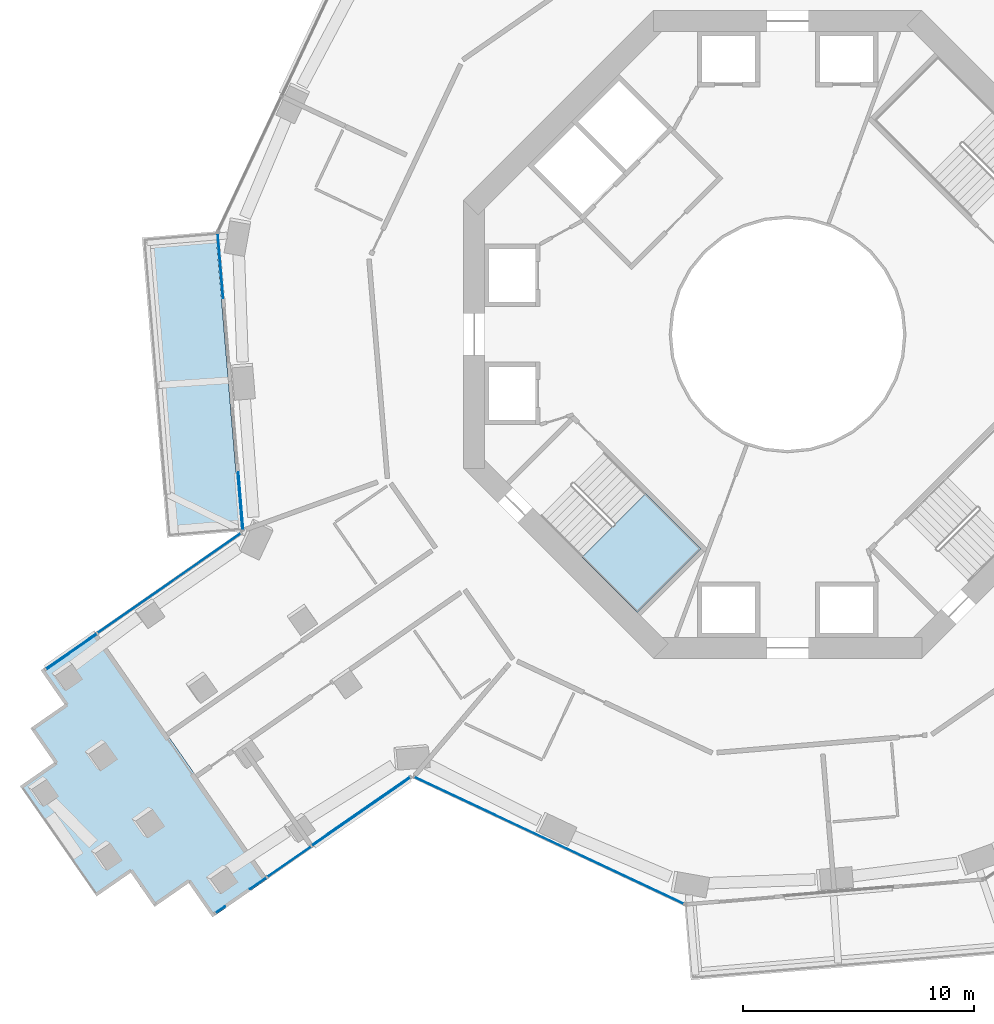
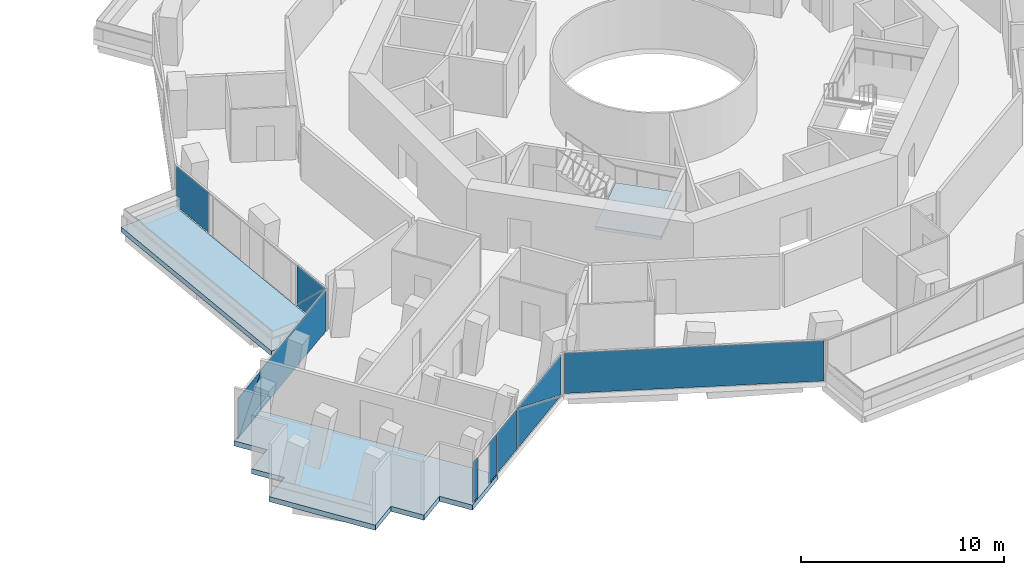
# One storey, part 13 of 26: 12 plates, 3 slabs, 5 elements without a shape of their own.
"""IFC4 building model written with IfcOpenShell, lengths in metres."""

from ifc_helpers import new_model, si_unit, direction, frame, origin, origin_2d, place, context, subcontext, project, spatial, polyline, rectangle, outline, extrude, material, layer, layer_set, type_object, element, aggregate, save


model = new_model("IFC4")

# Units and contexts
model_context = context("Model", 3, precision=1e-05, world=origin(), true_north=direction((0.0, 1.0)))
body_context = subcontext(model_context, "Body", "Model", "MODEL_VIEW")
ifc_project = project(units=[si_unit("LENGTHUNIT", "METRE"), si_unit("AREAUNIT", "SQUARE_METRE"), si_unit("VOLUMEUNIT", "CUBIC_METRE"), si_unit("PLANEANGLEUNIT", "RADIAN"), si_unit("MASSUNIT", "GRAM", prefix="KILO")], contexts=[model_context])

# Site, building, storey
site_placement = place(None, origin())
site = spatial("IfcSite", under=ifc_project, at=site_placement, CompositionType="ELEMENT")
building_placement = place(site_placement, origin())
building = spatial("IfcBuilding", under=site, at=building_placement, Name="Verdalira Terraces Hotel", CompositionType="ELEMENT")
storey_placement = place(building_placement, frame((0.0, 0.0, 53.0)))
storey = spatial("IfcBuildingStorey", under=building, at=storey_placement, Name="L11", CompositionType="ELEMENT", Elevation=53.0)

# Slab
ifc_material_1 = material(Name="Precast concrete C40/50", Category="concrete")
ifc_layer_1 = layer(ifc_material_1, 0.31005859375)
ifc_layer_set_1 = layer_set([ifc_layer_1], Name="Balcony deck 310")
slab_type_1 = type_object("IfcSlabType", Name="Balcony deck 310", PredefinedType="FLOOR", material=ifc_layer_set_1)
slab_1_placement = place(storey_placement, frame((0.0, 0.0, -0.310059)))
element("IfcSlab", 1, at=slab_1_placement, inside=storey, type_object=slab_type_1, Name="Balcony deck", PredefinedType="FLOOR", context=body_context, shape_type="SweptSolid", body=[
    extrude(outline(polyline([(-26.818115, -8.774902), (-23.629395, -8.50708), (-24.717041, 4.447266), (-27.906006, 4.179443), (-26.818115, -8.774902)])), origin(), (0.0, 0.0, 1.0), 0.310059),
])

# Curtain wall, plates
ifc_material_2 = material(Name="Clear glass", Category="glass")
ifc_layer_2 = layer(ifc_material_2, 0.14990234375)
ifc_layer_set_2 = layer_set([ifc_layer_2], Name="CW1 curtain wall")
curtain_wall_type_1 = type_object("IfcCurtainWallType", Name="CW1 curtain wall", PredefinedType="NOTDEFINED", material=ifc_layer_set_2)
curtain_wall_1_placement = place(storey_placement, origin())
curtain_wall_1 = element("IfcCurtainWall", 2, at=curtain_wall_1_placement, inside=storey, type_object=curtain_wall_type_1, Name="CW1 curtain wall L11 edge 13", PredefinedType="NOTDEFINED")
ifc_material_3 = material(Name="Clear glass", Category="glass")
ifc_layer_3 = layer(ifc_material_3, 0.028076171875)
ifc_layer_set_3 = layer_set([ifc_layer_3], Name="CW1 glass unit 28")
plate_type_1 = type_object("IfcPlateType", Name="CW1 glass unit 28", PredefinedType="CURTAIN_PANEL", material=ifc_layer_set_3)
plate_1_placement = place(storey_placement, frame((-24.516846, 2.95874, 0.0), z_axis=(0.0, 0.0, 1.0), x_axis=(0.083677843, -0.996492859, 0.0)))
plate_1 = element("IfcPlate", 3, at=plate_1_placement, type_object=plate_type_1, Name="CW1 glass unit", PredefinedType="CURTAIN_PANEL", context=body_context, shape_type="SweptSolid", body=[
    extrude(rectangle(XDim=2.799805, YDim=0.028076, at=origin_2d()), origin(), (0.0, 0.0, 1.0), 2.425049),
])
plate_2_placement = place(storey_placement, frame((-23.649414, -7.204346, 1.212402), z_axis=(-0.996492859, -0.083677843, 0.0), x_axis=(0.083677843, -0.996492859, 0.0)))
plate_2 = element("IfcPlate", 4, at=plate_2_placement, type_object=plate_type_1, Name="CW1 glass unit", PredefinedType="CURTAIN_PANEL", context=body_context, shape_type="SweptSolid", body=[
    extrude(outline(polyline([(-1.239746, -1.212402), (1.239746, -1.212402), (1.239746, 1.212402), (-1.239746, -1.212402)])), origin(), (0.0, 0.0, 1.0), 0.028076),
])
plate_3_placement = place(storey_placement, frame((-23.620361, -7.201904, 1.212402), z_axis=(-0.996492859, -0.083677843, 0.0), x_axis=(0.083677843, -0.996492859, 0.0)))
plate_3 = element("IfcPlate", 5, at=plate_3_placement, type_object=plate_type_1, Name="CW1 glass unit", PredefinedType="CURTAIN_PANEL", context=body_context, shape_type="SweptSolid", body=[
    extrude(outline(polyline([(-1.239746, -1.212402), (1.239746, 1.212402), (-1.239746, 1.212402), (-1.239746, -1.212402)])), origin(), (0.0, 0.0, 1.0), 0.028076),
])
aggregate(curtain_wall_1, [plate_1, plate_2, plate_3])

# Curtain wall, plate
curtain_wall_2_placement = place(storey_placement, origin())
curtain_wall_2 = element("IfcCurtainWall", 6, at=curtain_wall_2_placement, inside=storey, type_object=curtain_wall_type_1, Name="CW1 curtain wall L11 edge 25", PredefinedType="NOTDEFINED")
plate_4_placement = place(storey_placement, frame((-10.314941, -21.873291, 0.0), z_axis=(0.0, 0.0, 1.0), x_axis=(0.904827052, -0.425779292, 0.0)))
plate_4 = element("IfcPlate", 7, at=plate_4_placement, type_object=plate_type_1, Name="CW1 glass unit", PredefinedType="CURTAIN_PANEL", context=body_context, shape_type="SweptSolid", body=[
    extrude(rectangle(XDim=12.839844, YDim=0.028076, at=origin_2d()), origin(), (0.0, 0.0, 1.0), 2.425049),
])
aggregate(curtain_wall_2, [plate_4])

# Curtain wall, plates
ifc_material_4 = material(Name="Clear glass", Category="glass")
ifc_layer_4 = layer(ifc_material_4, 0.14990234375)
ifc_layer_set_4 = layer_set([ifc_layer_4], Name="CW2 curtain wall")
curtain_wall_type_2 = type_object("IfcCurtainWallType", Name="CW2 curtain wall", PredefinedType="NOTDEFINED", material=ifc_layer_set_4)
curtain_wall_3_placement = place(storey_placement, origin())
curtain_wall_3 = element("IfcCurtainWall", 8, at=curtain_wall_3_placement, inside=storey, type_object=curtain_wall_type_2, Name="CW2 curtain wall L11 edge 14", PredefinedType="NOTDEFINED")
ifc_material_5 = material(Name="Clear glass", Category="glass")
ifc_layer_5 = layer(ifc_material_5, 0.031982421875)
ifc_layer_set_5 = layer_set([ifc_layer_5], Name="CW2 glass unit 32")
plate_type_2 = type_object("IfcPlateType", Name="CW2 glass unit 32", PredefinedType="CURTAIN_PANEL", material=ifc_layer_set_5)
plate_5_placement = place(storey_placement, frame((-26.726562, -10.750977, 0.0), z_axis=(0.0, 0.0, 1.0), x_axis=(-0.821149209, -0.570713568, 0.0)))
plate_5 = element("IfcPlate", 9, at=plate_5_placement, type_object=plate_type_2, Name="CW2 glass unit", PredefinedType="CURTAIN_PANEL", context=body_context, shape_type="SweptSolid", body=[
    extrude(rectangle(XDim=7.507568, YDim=0.031982, at=origin_2d()), origin(), (0.0, 0.0, 1.0), 2.425049),
])
plate_6_placement = place(storey_placement, frame((-30.95166, -13.707031, 1.212402), z_axis=(-0.570713568, 0.821149209, 0.0), x_axis=(-0.821149209, -0.570713568, 0.0)))
plate_6 = element("IfcPlate", 10, at=plate_6_placement, type_object=plate_type_2, Name="CW2 glass unit", PredefinedType="CURTAIN_PANEL", context=body_context, shape_type="SweptSolid", body=[
    extrude(outline(polyline([(-1.33252, -1.212402), (1.33252, -1.212402), (-1.33252, 1.212402), (-1.33252, -1.212402)])), origin(), (0.0, 0.0, 1.0), 0.031982),
])
plate_7_placement = place(storey_placement, frame((-30.932861, -13.734131, 1.212402), z_axis=(-0.570713568, 0.821149209, 0.0), x_axis=(-0.821149209, -0.570713568, 0.0)))
plate_7 = element("IfcPlate", 11, at=plate_7_placement, type_object=plate_type_2, Name="CW2 glass unit", PredefinedType="CURTAIN_PANEL", context=body_context, shape_type="SweptSolid", body=[
    extrude(outline(polyline([(1.33252, -1.212402), (1.33252, 1.212402), (-1.33252, 1.212402), (1.33252, -1.212402)])), origin(), (0.0, 0.0, 1.0), 0.031982),
])
aggregate(curtain_wall_3, [plate_5, plate_6, plate_7])

curtain_wall_4_placement = place(storey_placement, origin())
curtain_wall_4 = element("IfcCurtainWall", 12, at=curtain_wall_4_placement, inside=storey, type_object=curtain_wall_type_2, Name="CW2 curtain wall L11 edge 24", PredefinedType="NOTDEFINED")
plate_8_placement = place(storey_placement, frame((-24.523926, -24.869141, 0.0), z_axis=(0.0, 0.0, 1.0), x_axis=(0.821149209, 0.570713568, 0.0)))
plate_8 = element("IfcPlate", 13, at=plate_8_placement, type_object=plate_type_2, Name="CW2 glass unit", PredefinedType="CURTAIN_PANEL", context=body_context, shape_type="SweptSolid", body=[
    extrude(rectangle(XDim=0.47998, YDim=0.031982, at=origin_2d()), origin(), (0.0, 0.0, 1.0), 2.425049),
])
plate_9_placement = place(storey_placement, frame((-22.88623, -23.730713, 0.0), z_axis=(0.0, 0.0, 1.0), x_axis=(0.821149209, 0.570713568, 0.0)))
plate_9 = element("IfcPlate", 14, at=plate_9_placement, type_object=plate_type_2, Name="CW2 glass unit", PredefinedType="CURTAIN_PANEL", context=body_context, shape_type="SweptSolid", body=[
    extrude(rectangle(XDim=0.861084, YDim=0.031982, at=origin_2d()), origin(), (0.0, 0.0, 1.0), 2.425049),
])
plate_10_placement = place(storey_placement, frame((-21.540771, -22.795654, 0.0), z_axis=(0.0, 0.0, 1.0), x_axis=(0.821149209, 0.570713568, 0.0)))
plate_10 = element("IfcPlate", 15, at=plate_10_placement, type_object=plate_type_2, Name="CW2 glass unit", PredefinedType="CURTAIN_PANEL", context=body_context, shape_type="SweptSolid", body=[
    extrude(rectangle(XDim=2.276367, YDim=0.031982, at=origin_2d()), origin(), (0.0, 0.0, 1.0), 2.425049),
])
plate_11_placement = place(storey_placement, frame((-18.438477, -20.620117, 1.212402), z_axis=(0.570713568, -0.821149209, 0.0), x_axis=(0.821149209, 0.570713568, 0.0)))
plate_11 = element("IfcPlate", 16, at=plate_11_placement, type_object=plate_type_2, Name="CW2 glass unit", PredefinedType="CURTAIN_PANEL", context=body_context, shape_type="SweptSolid", body=[
    extrude(outline(polyline([(-2.580566, -1.212402), (2.580566, -1.212402), (-2.580566, 1.212402), (-2.580566, -1.212402)])), origin(), (0.0, 0.0, 1.0), 0.031982),
])
plate_12_placement = place(storey_placement, frame((-18.457275, -20.593018, 1.212402), z_axis=(0.570713568, -0.821149209, 0.0), x_axis=(0.821149209, 0.570713568, 0.0)))
plate_12 = element("IfcPlate", 17, at=plate_12_placement, type_object=plate_type_2, Name="CW2 glass unit", PredefinedType="CURTAIN_PANEL", context=body_context, shape_type="SweptSolid", body=[
    extrude(outline(polyline([(2.580566, -1.212402), (2.580566, 1.212402), (-2.580566, 1.212402), (2.580566, -1.212402)])), origin(), (0.0, 0.0, 1.0), 0.031982),
])
aggregate(curtain_wall_4, [plate_8, plate_9, plate_10, plate_11, plate_12])

# Stair, slab
ifc_material_6 = material(Name="Concrete C40", Category="concrete")
stair_type = type_object("IfcStairType", Name="Core stair 20 risers 1900 mm wide", PredefinedType="HALF_TURN_STAIR", material=ifc_material_6)
stair_placement = place(storey_placement, origin())
stair = element("IfcStair", 18, at=stair_placement, inside=storey, type_object=stair_type, Name="L11 Exit stair ST2", PredefinedType="HALF_TURN_STAIR")
ifc_material_7 = material(Name="Concrete C40", Category="concrete")
ifc_layer_6 = layer(ifc_material_7, 0.199951171875)
ifc_layer_set_6 = layer_set([ifc_layer_6], Name="Core stair landing 200 mm")
slab_type_2 = type_object("IfcSlabType", Name="Core stair landing 200 mm", PredefinedType="LANDING", material=ifc_layer_set_6)
slab_2_placement = place(storey_placement, frame((0.0, 0.0, 1.550049)))
slab_2 = element("IfcSlab", 19, at=slab_2_placement, type_object=slab_type_2, Name="ST2 landing 1", PredefinedType="LANDING", context=body_context, shape_type="SweptSolid", body=[
    extrude(outline(polyline([(-8.895752, -9.630371), (-6.505371, -12.020752), (-3.747559, -9.263184), (-6.137939, -6.872803), (-8.895752, -9.630371)])), origin(), (0.0, 0.0, 1.0), 0.199951),
])
aggregate(stair, [slab_2])

# Slab
ifc_material_8 = material(Name="Concrete C40", Category="concrete")
ifc_layer_7 = layer(ifc_material_8, 0.31005859375)
ifc_layer_set_7 = layer_set([ifc_layer_7], Name="Loggia floor deck 310 C40")
slab_type_3 = type_object("IfcSlabType", Name="Loggia floor deck 310 C40", PredefinedType="FLOOR", material=ifc_layer_set_7)
slab_3_placement = place(storey_placement, frame((0.0, 0.0, -0.310059)))
element("IfcSlab", 20, at=slab_3_placement, inside=storey, type_object=slab_type_3, Name="Loggia deck L11", PredefinedType="FLOOR", context=body_context, shape_type="SweptSolid", body=[
    extrude(outline(polyline([(-24.858887, -25.193115), (-22.477539, -23.538086), (-29.896973, -12.863281), (-32.27832, -14.518311), (-31.250977, -15.996338), (-32.729004, -17.023682), (-31.70166, -18.501709), (-33.179688, -19.528809), (-29.869629, -24.291504), (-28.391602, -23.264404), (-27.364258, -24.742432), (-25.88623, -23.715088), (-24.858887, -25.193115)])), origin(), (0.0, 0.0, 1.0), 0.310059),
])

save(model, "model.ifc")
